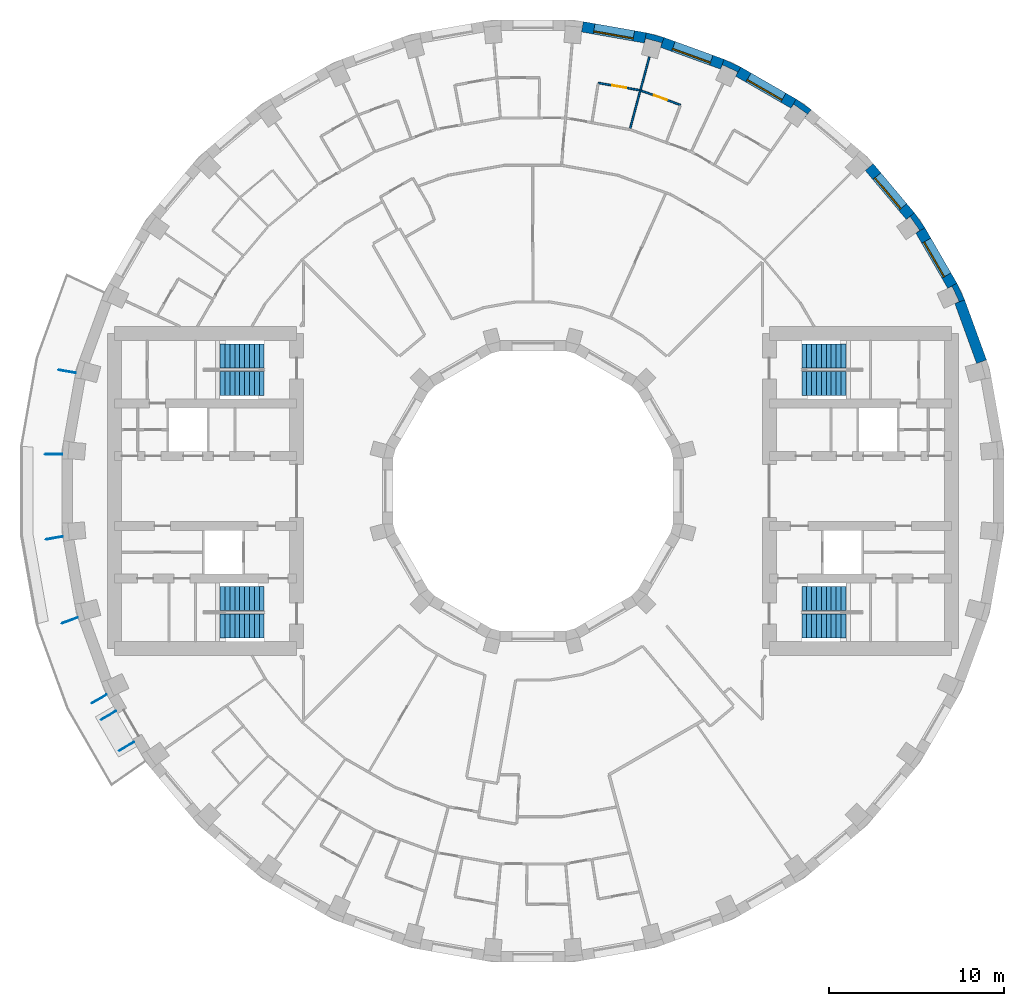
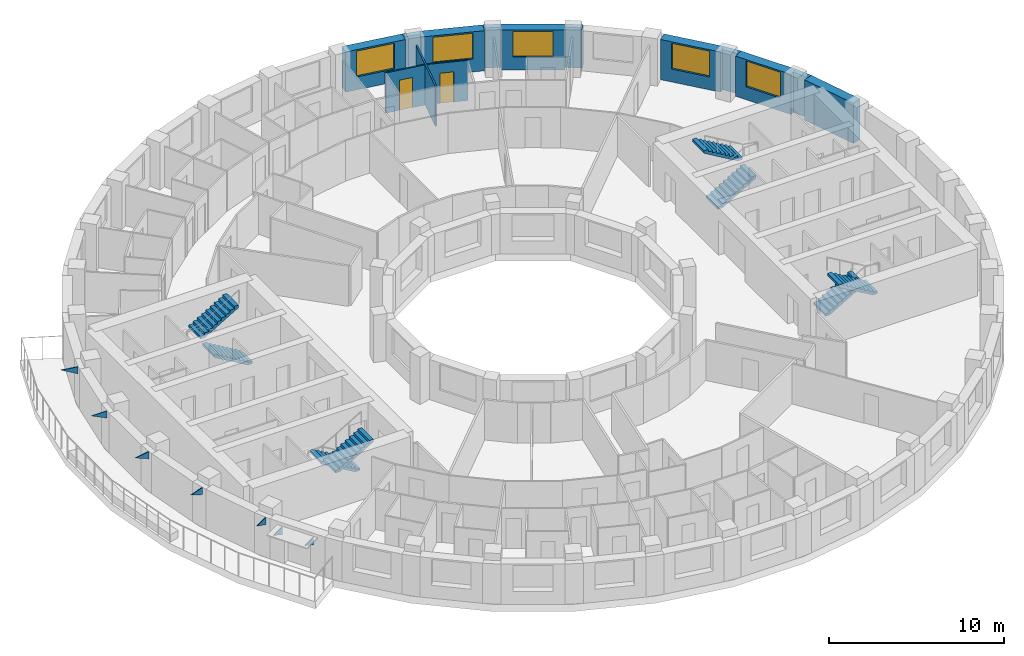
# One storey, part 11 of 12: 14 walls, 8 stair flights, 7 discrete accessories, 5 windows, 2 doors, 7 openings, 4 elements without a shape of their own.
"""IFC4 building model written with IfcOpenShell, lengths in metres."""

from ifc_helpers import new_model, si_unit, direction, frame, frame_2d, origin, place, context, subcontext, project, spatial, polyline, rectangle, outline, extrude, material, layer, layer_set, type_object, element, fill, aggregate, save


model = new_model("IFC4")

# Units and contexts
model_context = context("Model", 3, precision=1e-05, world=origin(), true_north=direction((0.0, 1.0)))
body_context = subcontext(model_context, "Body", "Model", "MODEL_VIEW")
ifc_project = project(units=[si_unit("LENGTHUNIT", "METRE"), si_unit("AREAUNIT", "SQUARE_METRE"), si_unit("VOLUMEUNIT", "CUBIC_METRE"), si_unit("PLANEANGLEUNIT", "RADIAN"), si_unit("MASSUNIT", "GRAM", prefix="KILO")], contexts=[model_context])

# Site, building, storey
site_placement = place(None, origin())
site = spatial("IfcSite", under=ifc_project, at=site_placement, CompositionType="ELEMENT")
building_placement = place(site_placement, origin())
building = spatial("IfcBuilding", under=site, at=building_placement, Name="Saqina Gate Tower", CompositionType="ELEMENT")
storey_placement = place(building_placement, frame((0.0, 0.0, 115.0)))
storey = spatial("IfcBuildingStorey", under=building, at=storey_placement, Name="L32", CompositionType="ELEMENT", Elevation=115.0)

# Walls
ifc_material_1 = material(Name="Brick masonry (buff)", Category="masonry")
wall_type_1 = type_object("IfcWallType", Name="BRICK PIER COPING BUFF", PredefinedType="SOLIDWALL", material=ifc_material_1)
wall_1_placement = place(storey_placement, origin())
element("IfcWall", 1, at=wall_1_placement, inside=storey, type_object=wall_type_1, Name="Pier cap L32 column 3", PredefinedType="SOLIDWALL", context=body_context, shape_type="SweptSolid", body=[
    extrude(outline(polyline([(24.6513671875, 10.913330078125), (24.205810546875, 11.869140625), (23.68603515625, 11.569091796875), (23.9296875, 11.6826171875), (24.331298828125, 10.82177734375), (24.08740234375, 10.7080078125), (24.6513671875, 10.913330078125)])), origin(), (0.0, 0.0, 1.0), 2.800048828125),
])
wall_2_placement = place(storey_placement, origin())
element("IfcWall", 2, at=wall_2_placement, inside=storey, type_object=wall_type_1, Name="Pier cap L32 column 4", PredefinedType="SOLIDWALL", context=body_context, shape_type="SweptSolid", body=[
    extrude(outline(polyline([(21.77685546875, 15.89208984375), (21.317138671875, 15.50634765625), (21.53759765625, 15.66064453125), (22.08251953125, 14.88232421875), (21.862060546875, 14.728271484375), (22.3818359375, 15.0283203125), (21.77685546875, 15.89208984375)])), origin(), (0.0, 0.0, 1.0), 2.800048828125),
])
wall_3_placement = place(storey_placement, origin())
element("IfcWall", 3, at=wall_3_placement, inside=storey, type_object=wall_type_1, Name="Pier cap L32 column 6", PredefinedType="SOLIDWALL", context=body_context, shape_type="SweptSolid", body=[
    extrude(outline(polyline([(15.0283203125, 22.3818359375), (14.728271484375, 21.862060546875), (14.88232421875, 22.08251953125), (15.66064453125, 21.53759765625), (15.50634765625, 21.317138671875), (15.89208984375, 21.77685546875), (15.0283203125, 22.3818359375)])), origin(), (0.0, 0.0, 1.0), 2.800048828125),
])
wall_4_placement = place(storey_placement, origin())
element("IfcWall", 4, at=wall_4_placement, inside=storey, type_object=wall_type_1, Name="Pier cap L32 column 7", PredefinedType="SOLIDWALL", context=body_context, shape_type="SweptSolid", body=[
    extrude(outline(polyline([(10.913330078125, 24.6513671875), (10.7080078125, 24.08740234375), (10.82177734375, 24.331298828125), (11.6826171875, 23.9296875), (11.569091796875, 23.68603515625), (11.869140625, 24.205810546875), (10.913330078125, 24.6513671875)])), origin(), (0.0, 0.0, 1.0), 2.800048828125),
])
wall_5_placement = place(storey_placement, origin())
element("IfcWall", 5, at=wall_5_placement, inside=storey, type_object=wall_type_1, Name="Pier cap L32 column 8", PredefinedType="SOLIDWALL", context=body_context, shape_type="SweptSolid", body=[
    extrude(outline(polyline([(7.485595703125, 25.89892578125), (6.466796875, 26.171875), (6.36279296875, 25.5810546875), (6.43212890625, 25.8408203125), (7.349853515625, 25.5947265625), (7.2802734375, 25.335205078125), (7.485595703125, 25.89892578125)])), origin(), (0.0, 0.0, 1.0), 2.800048828125),
])

# Wall, opening, window
ifc_material_2 = material(Name="Brick masonry (buff)", Category="masonry")
ifc_layer_1 = layer(ifc_material_2, 0.60009765625)
ifc_layer_set_1 = layer_set([ifc_layer_1], Name="FW-BRICK-BUFF")
wall_type_2 = type_object("IfcWallType", Name="FW-BRICK-BUFF", PredefinedType="SOLIDWALL", material=ifc_layer_set_1)
wall_6_placement = place(storey_placement, frame((23.94580078125, 11.718994140625, 0.0), z_axis=(0.0, 0.0, 1.0), x_axis=(-0.499954196102, 0.866051847062, 0.0)))
wall_6 = element("IfcWall", 6, at=wall_6_placement, inside=storey, type_object=wall_type_2, Name="Facade wall L32 facet 3", PredefinedType="SOLIDWALL", context=body_context, shape_type="SweptSolid", body=[
    extrude(rectangle(XDim=3.647705078125, YDim=0.60009765625, at=frame_2d((1.82373046875, 0.0))), origin(), (0.0, 0.0, 1.0), 2.800048828125),
])
opening_1_placement = place(wall_6_placement, frame((0.673828125, 0.0, 0.89990234375)))
opening_1 = element("IfcOpeningElement", 7, at=opening_1_placement, cuts=wall_6, Name="Opening G09-W01", PredefinedType="OPENING", context=body_context, shape_type="SweptSolid", body=[
    extrude(rectangle(XDim=2.300048828125, YDim=1.800048828125, at=frame_2d((1.14990234375, 0.89990234375))), frame((0.0, 0.31201171875, 0.0), z_axis=(0.0, -1.0, 0.0), x_axis=(1.0, 0.0, 0.0)), (0.0, 0.0, 1.0), 0.6240234375),
])
ifc_material_3 = material(Name="Aluminium glazing", Category="aluminium")
window_type = type_object("IfcWindowType", Name="WN-B", PartitioningType="SINGLE_PANEL", PredefinedType="WINDOW", material=ifc_material_3)
window_1_placement = place(opening_1_placement, origin())
window_1 = element("IfcWindow", 8, at=window_1_placement, inside=storey, type_object=window_type, Name="Window L32 facet 3", OverallHeight=1.800048828125, OverallWidth=2.300048828125, PartitioningType="SINGLE_PANEL", PredefinedType="WINDOW", context=body_context, shape_type="SweptSolid", body=[
    extrude(rectangle(XDim=2.300048828125, YDim=1.800048828125, at=frame_2d((1.14990234375, 0.89990234375))), frame((0.0, 0.179931640625, 0.0), z_axis=(0.0, -1.0, 0.0), x_axis=(1.0, 0.0, 0.0)), (0.0, 0.0, 1.0), 0.06005859375),
])
fill(opening_1, window_1)

wall_7_placement = place(storey_placement, frame((21.547119140625, 15.69921875, 0.0), z_axis=(0.0, 0.0, 1.0), x_axis=(-0.642774476932, 0.766055462616, 0.0)))
wall_7 = element("IfcWall", 9, at=wall_7_placement, inside=storey, type_object=wall_type_2, Name="Facade wall L32 facet 4", PredefinedType="SOLIDWALL", context=body_context, shape_type="SweptSolid", body=[
    extrude(rectangle(XDim=3.647705078125, YDim=0.60009765625, at=frame_2d((1.82373046875, 0.0))), origin(), (0.0, 0.0, 1.0), 2.800048828125),
])
opening_2_placement = place(wall_7_placement, frame((0.673828125, 0.0, 0.89990234375)))
opening_2 = element("IfcOpeningElement", 10, at=opening_2_placement, cuts=wall_7, Name="Opening G09-W02", PredefinedType="OPENING", context=body_context, shape_type="SweptSolid", body=[
    extrude(rectangle(XDim=2.300048828125, YDim=1.800048828125, at=frame_2d((1.14990234375, 0.89990234375))), frame((0.0, 0.31201171875, 0.0), z_axis=(0.0, -1.0, 0.0), x_axis=(1.0, 0.0, 0.0)), (0.0, 0.0, 1.0), 0.6240234375),
])
window_2_placement = place(opening_2_placement, origin())
window_2 = element("IfcWindow", 11, at=window_2_placement, inside=storey, type_object=window_type, Name="Window L32 facet 4", OverallHeight=1.800048828125, OverallWidth=2.300048828125, PartitioningType="SINGLE_PANEL", PredefinedType="WINDOW", context=body_context, shape_type="SweptSolid", body=[
    extrude(rectangle(XDim=2.300048828125, YDim=1.800048828125, at=frame_2d((1.14990234375, 0.89990234375))), frame((0.0, 0.179931640625, 0.0), z_axis=(0.0, -1.0, 0.0), x_axis=(1.0, 0.0, 0.0)), (0.0, 0.0, 1.0), 0.06005859375),
])
fill(opening_2, window_2)

wall_8_placement = place(storey_placement, frame((14.878173828125, 22.1220703125, 0.0), z_axis=(0.0, 0.0, 1.0), x_axis=(-0.866051847062, 0.499954196102, 0.0)))
wall_8 = element("IfcWall", 12, at=wall_8_placement, inside=storey, type_object=wall_type_2, Name="Facade wall L32 facet 6", PredefinedType="SOLIDWALL", context=body_context, shape_type="SweptSolid", body=[
    extrude(rectangle(XDim=3.647705078125, YDim=0.60009765625, at=frame_2d((1.82373046875, 0.0))), origin(), (0.0, 0.0, 1.0), 2.800048828125),
])
opening_3_placement = place(wall_8_placement, frame((0.673828125, 0.0, 0.89990234375)))
opening_3 = element("IfcOpeningElement", 13, at=opening_3_placement, cuts=wall_8, Name="Opening G09-W04", PredefinedType="OPENING", context=body_context, shape_type="SweptSolid", body=[
    extrude(rectangle(XDim=2.300048828125, YDim=1.800048828125, at=frame_2d((1.14990234375, 0.89990234375))), frame((0.0, 0.31201171875, 0.0), z_axis=(0.0, -1.0, 0.0), x_axis=(1.0, 0.0, 0.0)), (0.0, 0.0, 1.0), 0.6240234375),
])
window_3_placement = place(opening_3_placement, origin())
window_3 = element("IfcWindow", 14, at=window_3_placement, inside=storey, type_object=window_type, Name="Window L32 facet 6", OverallHeight=1.800048828125, OverallWidth=2.300048828125, PartitioningType="SINGLE_PANEL", PredefinedType="WINDOW", context=body_context, shape_type="SweptSolid", body=[
    extrude(rectangle(XDim=2.300048828125, YDim=1.800048828125, at=frame_2d((1.14990234375, 0.89990234375))), frame((0.0, 0.179931640625, 0.0), z_axis=(0.0, -1.0, 0.0), x_axis=(1.0, 0.0, 0.0)), (0.0, 0.0, 1.0), 0.06005859375),
])
fill(opening_3, window_3)

wall_9_placement = place(storey_placement, frame((10.810791015625, 24.369384765625, 0.0), z_axis=(0.0, 0.0, 1.0), x_axis=(-0.939703505393, 0.341990236633, 0.0)))
wall_9 = element("IfcWall", 15, at=wall_9_placement, inside=storey, type_object=wall_type_2, Name="Facade wall L32 facet 7", PredefinedType="SOLIDWALL", context=body_context, shape_type="SweptSolid", body=[
    extrude(rectangle(XDim=3.64794921875, YDim=0.60009765625, at=frame_2d((1.823974609375, 0.0))), origin(), (0.0, 0.0, 1.0), 2.800048828125),
])
opening_4_placement = place(wall_9_placement, frame((0.673828125, 0.0, 0.89990234375)))
opening_4 = element("IfcOpeningElement", 16, at=opening_4_placement, cuts=wall_9, Name="Opening G09-W05", PredefinedType="OPENING", context=body_context, shape_type="SweptSolid", body=[
    extrude(rectangle(XDim=2.300048828125, YDim=1.800048828125, at=frame_2d((1.14990234375, 0.89990234375))), frame((0.0, 0.31201171875, 0.0), z_axis=(0.0, -1.0, 0.0), x_axis=(1.0, 0.0, 0.0)), (0.0, 0.0, 1.0), 0.6240234375),
])
window_4_placement = place(opening_4_placement, origin())
window_4 = element("IfcWindow", 17, at=window_4_placement, inside=storey, type_object=window_type, Name="Window L32 facet 7", OverallHeight=1.800048828125, OverallWidth=2.300048828125, PartitioningType="SINGLE_PANEL", PredefinedType="WINDOW", context=body_context, shape_type="SweptSolid", body=[
    extrude(rectangle(XDim=2.300048828125, YDim=1.800048828125, at=frame_2d((1.14990234375, 0.89990234375))), frame((0.0, 0.179931640625, 0.0), z_axis=(0.0, -1.0, 0.0), x_axis=(1.0, 0.0, 0.0)), (0.0, 0.0, 1.0), 0.06005859375),
])
fill(opening_4, window_4)

wall_10_placement = place(storey_placement, frame((6.414794921875, 25.87646484375, 0.0), z_axis=(0.0, 0.0, 1.0), x_axis=(-0.984803764455, 0.173670796382, 0.0)))
wall_10 = element("IfcWall", 18, at=wall_10_placement, inside=storey, type_object=wall_type_2, Name="Facade wall L32 facet 8", PredefinedType="SOLIDWALL", context=body_context, shape_type="SweptSolid", body=[
    extrude(rectangle(XDim=3.64794921875, YDim=0.60009765625, at=frame_2d((1.823974609375, 0.0))), origin(), (0.0, 0.0, 1.0), 2.800048828125),
])
opening_5_placement = place(wall_10_placement, frame((0.673828125, 0.0, 0.89990234375)))
opening_5 = element("IfcOpeningElement", 19, at=opening_5_placement, cuts=wall_10, Name="Opening G09-W06", PredefinedType="OPENING", context=body_context, shape_type="SweptSolid", body=[
    extrude(rectangle(XDim=2.300048828125, YDim=1.800048828125, at=frame_2d((1.14990234375, 0.89990234375))), frame((0.0, 0.31201171875, 0.0), z_axis=(0.0, -1.0, 0.0), x_axis=(1.0, 0.0, 0.0)), (0.0, 0.0, 1.0), 0.6240234375),
])
window_5_placement = place(opening_5_placement, origin())
window_5 = element("IfcWindow", 20, at=window_5_placement, inside=storey, type_object=window_type, Name="Window L32 facet 8", OverallHeight=1.800048828125, OverallWidth=2.300048828125, PartitioningType="SINGLE_PANEL", PredefinedType="WINDOW", context=body_context, shape_type="SweptSolid", body=[
    extrude(rectangle(XDim=2.300048828125, YDim=1.800048828125, at=frame_2d((1.14990234375, 0.89990234375))), frame((0.0, 0.179931640625, 0.0), z_axis=(0.0, -1.0, 0.0), x_axis=(1.0, 0.0, 0.0)), (0.0, 0.0, 1.0), 0.06005859375),
])
fill(opening_5, window_5)

# Wall
ifc_material_4 = material(Name="Glazed ceramic tile (dark blue)", Category="ceramic")
ifc_layer_2 = layer(ifc_material_4, 0.60009765625)
ifc_layer_set_2 = layer_set([ifc_layer_2], Name="FW-TILE-CB")
wall_type_3 = type_object("IfcWallType", Name="FW-TILE-CB", PredefinedType="SOLIDWALL", material=ifc_layer_set_2)
wall_11_placement = place(storey_placement, frame((25.616943359375, 7.3828125, 0.0), z_axis=(0.0, 0.0, 1.0), x_axis=(-0.341990236633, 0.939703505393, 0.0)))
element("IfcWall", 21, at=wall_11_placement, inside=storey, type_object=wall_type_3, Name="Facade wall L32 facet 2", PredefinedType="SOLIDWALL", context=body_context, shape_type="SweptSolid", body=[
    extrude(rectangle(XDim=3.64794921875, YDim=0.60009765625, at=frame_2d((1.823974609375, 0.0))), origin(), (0.0, 0.0, 1.0), 2.800048828125),
])

# Wall, opening, door
ifc_material_5 = material(Name="Gypsum board on steel studs, 100 mm", Category="steel")
ifc_layer_3 = layer(ifc_material_5, 0.10009765625)
ifc_layer_set_3 = layer_set([ifc_layer_3], Name="PARTITION 100")
wall_type_4 = type_object("IfcWallType", Name="PARTITION 100", PredefinedType="PARTITIONING", material=ifc_layer_set_3)
wall_12_placement = place(storey_placement, frame((6.177978515625, 22.86279296875, 0.0), z_axis=(0.0, 0.0, 1.0), x_axis=(0.93973977618, -0.341890557146, 0.0)))
wall_12 = element("IfcWall", 22, at=wall_12_placement, inside=storey, type_object=wall_type_4, Name="PARTITION PW3-43", PredefinedType="PARTITIONING", context=body_context, shape_type="SweptSolid", body=[
    extrude(rectangle(XDim=2.39208984375, YDim=0.10009765625, at=frame_2d((1.196044921875, 0.0))), origin(), (0.0, 0.0, 1.0), 2.800048828125),
])
opening_6_placement = place(wall_12_placement, frame((0.77099609375, 0.0, 0.0)))
opening_6 = element("IfcOpeningElement", 23, at=opening_6_placement, cuts=wall_12, Name="Opening G09-D07", PredefinedType="OPENING", context=body_context, shape_type="SweptSolid", body=[
    extrude(rectangle(XDim=0.800048828125, YDim=2.10009765625, at=frame_2d((0.39990234375, 1.050048828125))), frame((0.0, 0.06201171875, 0.0), z_axis=(0.0, -1.0, 0.0), x_axis=(1.0, 0.0, 0.0)), (0.0, 0.0, 1.0), 0.1240234375),
])
ifc_material_6 = material(Name="Timber door leaf, 800 mm", Category="wood")
door_type = type_object("IfcDoorType", Name="DOOR 800 TIMBER", OperationType="SINGLE_SWING_LEFT", PredefinedType="DOOR", material=ifc_material_6)
door_1_placement = place(opening_6_placement, origin())
door_1 = element("IfcDoor", 24, at=door_1_placement, inside=storey, type_object=door_type, Name="DOOR G09-D07", OperationType="SINGLE_SWING_LEFT", OverallHeight=2.10009765625, OverallWidth=0.800048828125, PredefinedType="DOOR", context=body_context, shape_type="SweptSolid", body=[
    extrude(rectangle(XDim=0.800048828125, YDim=2.10009765625, at=frame_2d((0.39990234375, 1.050048828125))), frame((0.0, 0.02490234375, 0.0), z_axis=(0.0, -1.0, 0.0), x_axis=(1.0, 0.0, 0.0)), (0.0, 0.0, 1.0), 0.050048828125),
])
fill(opening_6, door_1)

wall_13_placement = place(storey_placement, frame((3.72509765625, 23.303955078125, 0.0), z_axis=(0.0, 0.0, 1.0), x_axis=(0.984826665662, -0.173540884522, 0.0)))
wall_13 = element("IfcWall", 25, at=wall_13_placement, inside=storey, type_object=wall_type_4, Name="PARTITION PW3-50", PredefinedType="PARTITIONING", context=body_context, shape_type="SweptSolid", body=[
    extrude(rectangle(XDim=2.39306640625, YDim=0.10009765625, at=frame_2d((1.196533203125, 0.0))), origin(), (0.0, 0.0, 1.0), 2.800048828125),
])
opening_7_placement = place(wall_13_placement, frame((0.821533203125, 0.0, 0.0)))
opening_7 = element("IfcOpeningElement", 26, at=opening_7_placement, cuts=wall_13, Name="Opening G09-D08", PredefinedType="OPENING", context=body_context, shape_type="SweptSolid", body=[
    extrude(rectangle(XDim=0.800048828125, YDim=2.10009765625, at=frame_2d((0.39990234375, 1.050048828125))), frame((0.0, 0.06201171875, 0.0), z_axis=(0.0, -1.0, 0.0), x_axis=(1.0, 0.0, 0.0)), (0.0, 0.0, 1.0), 0.1240234375),
])
door_2_placement = place(opening_7_placement, origin())
door_2 = element("IfcDoor", 27, at=door_2_placement, inside=storey, type_object=door_type, Name="DOOR G09-D08", OperationType="SINGLE_SWING_RIGHT", OverallHeight=2.10009765625, OverallWidth=0.800048828125, PredefinedType="DOOR", context=body_context, shape_type="SweptSolid", body=[
    extrude(rectangle(XDim=0.800048828125, YDim=2.10009765625, at=frame_2d((0.39990234375, 1.050048828125))), frame((0.0, 0.02490234375, 0.0), z_axis=(0.0, -1.0, 0.0), x_axis=(1.0, 0.0, 0.0)), (0.0, 0.0, 1.0), 0.050048828125),
])
fill(opening_7, door_2)

# Wall
wall_14_placement = place(storey_placement, frame((5.547119140625, 20.697998046875, 0.0), z_axis=(0.0, 0.0, 1.0), x_axis=(0.258516199654, 0.966006922603, 0.0)))
element("IfcWall", 28, at=wall_14_placement, inside=storey, type_object=wall_type_4, Name="PARTITION PW3-99", PredefinedType="PARTITIONING", context=body_context, shape_type="SweptSolid", body=[
    extrude(rectangle(XDim=4.236572265625, YDim=0.10009765625, at=frame_2d((2.1181640625, 0.0))), origin(), (0.0, 0.0, 1.0), 2.800048828125),
])

# Stair, stair flights
ifc_material_7 = material(Name="Concrete C40/50", Category="concrete")
stair_type = type_object("IfcStairType", Name="EXIT STAIR", PredefinedType="HALF_TURN_STAIR", material=ifc_material_7)
stair_1_placement = place(storey_placement, origin())
stair_1 = element("IfcStair", 29, at=stair_1_placement, inside=storey, type_object=stair_type, Name="EXIT STAIR 1", PredefinedType="HALF_TURN_STAIR")
ifc_material_8 = material(Name="Concrete C40/50", Category="concrete")
stair_flight_type = type_object("IfcStairFlightType", Name="EXIT STAIR FLIGHT", PredefinedType="STRAIGHT", material=ifc_material_8)
stair_flight_1_placement = place(storey_placement, frame((15.35009765625, 6.1416015625, 0.0), z_axis=(0.0, 0.0, 1.0), x_axis=(1.0, 0.0, 0.0)))
stair_flight_1 = element("IfcStairFlight", 30, at=stair_flight_1_placement, type_object=stair_flight_type, Name="EXIT STAIR 1 FLIGHT 1", NumberOfRisers=10, NumberOfTreads=9, PredefinedType="STRAIGHT", RiserHeight=0.165, TreadLength=0.28, context=body_context, shape_type="SweptSolid", body=[
    extrude(outline(polyline([(0.0, 0.0), (0.0, 0.1650390625), (0.280029296875, 0.1650390625), (0.280029296875, 0.330078125), (0.56005859375, 0.330078125), (0.56005859375, 0.4951171875), (0.840087890625, 0.4951171875), (0.840087890625, 0.659912109375), (1.1201171875, 0.659912109375), (1.1201171875, 0.824951171875), (1.39990234375, 0.824951171875), (1.39990234375, 0.989990234375), (1.679931640625, 0.989990234375), (1.679931640625, 1.155029296875), (1.9599609375, 1.155029296875), (1.9599609375, 1.320068359375), (2.239990234375, 1.320068359375), (2.239990234375, 1.485107421875), (2.52001953125, 1.485107421875), (2.52001953125, 1.64990234375), (2.52001953125, 1.31103515625), (0.295166015625, 0.0), (0.0, 0.0)])), frame((0.0, 0.675048828125, 0.0), z_axis=(0.0, -1.0, 0.0), x_axis=(1.0, 0.0, 0.0)), (0.0, 0.0, 1.0), 1.35009765625),
])
stair_flight_2_placement = place(storey_placement, frame((17.8701171875, 7.708251953125, 1.64990234375), z_axis=(0.0, 0.0, 1.0), x_axis=(-1.0, 0.0, 0.0)))
stair_flight_2 = element("IfcStairFlight", 31, at=stair_flight_2_placement, type_object=stair_flight_type, Name="EXIT STAIR 1 FLIGHT 2", NumberOfRisers=10, NumberOfTreads=9, PredefinedType="STRAIGHT", RiserHeight=0.165, TreadLength=0.28, context=body_context, shape_type="SweptSolid", body=[
    extrude(outline(polyline([(0.0, 0.0), (0.0, 0.1650390625), (0.280029296875, 0.1650390625), (0.280029296875, 0.330078125), (0.56005859375, 0.330078125), (0.56005859375, 0.4951171875), (0.840087890625, 0.4951171875), (0.840087890625, 0.659912109375), (1.1201171875, 0.659912109375), (1.1201171875, 0.824951171875), (1.39990234375, 0.824951171875), (1.39990234375, 0.989990234375), (1.679931640625, 0.989990234375), (1.679931640625, 1.155029296875), (1.9599609375, 1.155029296875), (1.9599609375, 1.320068359375), (2.239990234375, 1.320068359375), (2.239990234375, 1.485107421875), (2.52001953125, 1.485107421875), (2.52001953125, 1.64990234375), (2.52001953125, 1.31103515625), (0.295166015625, 0.0), (0.0, 0.0)])), frame((0.0, 0.675048828125, 0.0), z_axis=(0.0, -1.0, 0.0), x_axis=(1.0, 0.0, 0.0)), (0.0, 0.0, 1.0), 1.35009765625),
])
aggregate(stair_1, [stair_flight_1, stair_flight_2])

stair_2_placement = place(storey_placement, origin())
stair_2 = element("IfcStair", 32, at=stair_2_placement, inside=storey, type_object=stair_type, Name="EXIT STAIR 2", PredefinedType="HALF_TURN_STAIR")
stair_flight_3_placement = place(storey_placement, frame((15.35009765625, -6.1416015625, 0.0), z_axis=(0.0, 0.0, 1.0), x_axis=(1.0, 0.0, 0.0)))
stair_flight_3 = element("IfcStairFlight", 33, at=stair_flight_3_placement, type_object=stair_flight_type, Name="EXIT STAIR 2 FLIGHT 1", NumberOfRisers=10, NumberOfTreads=9, PredefinedType="STRAIGHT", RiserHeight=0.165, TreadLength=0.28, context=body_context, shape_type="SweptSolid", body=[
    extrude(outline(polyline([(0.0, 0.0), (0.0, 0.1650390625), (0.280029296875, 0.1650390625), (0.280029296875, 0.330078125), (0.56005859375, 0.330078125), (0.56005859375, 0.4951171875), (0.840087890625, 0.4951171875), (0.840087890625, 0.659912109375), (1.1201171875, 0.659912109375), (1.1201171875, 0.824951171875), (1.39990234375, 0.824951171875), (1.39990234375, 0.989990234375), (1.679931640625, 0.989990234375), (1.679931640625, 1.155029296875), (1.9599609375, 1.155029296875), (1.9599609375, 1.320068359375), (2.239990234375, 1.320068359375), (2.239990234375, 1.485107421875), (2.52001953125, 1.485107421875), (2.52001953125, 1.64990234375), (2.52001953125, 1.31103515625), (0.295166015625, 0.0), (0.0, 0.0)])), frame((0.0, 0.675048828125, 0.0), z_axis=(0.0, -1.0, 0.0), x_axis=(1.0, 0.0, 0.0)), (0.0, 0.0, 1.0), 1.35009765625),
])
stair_flight_4_placement = place(storey_placement, frame((17.8701171875, -7.708251953125, 1.64990234375), z_axis=(0.0, 0.0, 1.0), x_axis=(-1.0, 0.0, 0.0)))
stair_flight_4 = element("IfcStairFlight", 34, at=stair_flight_4_placement, type_object=stair_flight_type, Name="EXIT STAIR 2 FLIGHT 2", NumberOfRisers=10, NumberOfTreads=9, PredefinedType="STRAIGHT", RiserHeight=0.165, TreadLength=0.28, context=body_context, shape_type="SweptSolid", body=[
    extrude(outline(polyline([(0.0, 0.0), (0.0, 0.1650390625), (0.280029296875, 0.1650390625), (0.280029296875, 0.330078125), (0.56005859375, 0.330078125), (0.56005859375, 0.4951171875), (0.840087890625, 0.4951171875), (0.840087890625, 0.659912109375), (1.1201171875, 0.659912109375), (1.1201171875, 0.824951171875), (1.39990234375, 0.824951171875), (1.39990234375, 0.989990234375), (1.679931640625, 0.989990234375), (1.679931640625, 1.155029296875), (1.9599609375, 1.155029296875), (1.9599609375, 1.320068359375), (2.239990234375, 1.320068359375), (2.239990234375, 1.485107421875), (2.52001953125, 1.485107421875), (2.52001953125, 1.64990234375), (2.52001953125, 1.31103515625), (0.295166015625, 0.0), (0.0, 0.0)])), frame((0.0, 0.675048828125, 0.0), z_axis=(0.0, -1.0, 0.0), x_axis=(1.0, 0.0, 0.0)), (0.0, 0.0, 1.0), 1.35009765625),
])
aggregate(stair_2, [stair_flight_3, stair_flight_4])

stair_3_placement = place(storey_placement, origin())
stair_3 = element("IfcStair", 35, at=stair_3_placement, inside=storey, type_object=stair_type, Name="EXIT STAIR 3", PredefinedType="HALF_TURN_STAIR")
stair_flight_5_placement = place(storey_placement, frame((-15.35009765625, 6.1416015625, 0.0), z_axis=(0.0, 0.0, 1.0), x_axis=(-1.0, 0.0, 0.0)))
stair_flight_5 = element("IfcStairFlight", 36, at=stair_flight_5_placement, type_object=stair_flight_type, Name="EXIT STAIR 3 FLIGHT 1", NumberOfRisers=10, NumberOfTreads=9, PredefinedType="STRAIGHT", RiserHeight=0.165, TreadLength=0.28, context=body_context, shape_type="SweptSolid", body=[
    extrude(outline(polyline([(0.0, 0.0), (0.0, 0.1650390625), (0.280029296875, 0.1650390625), (0.280029296875, 0.330078125), (0.56005859375, 0.330078125), (0.56005859375, 0.4951171875), (0.840087890625, 0.4951171875), (0.840087890625, 0.659912109375), (1.1201171875, 0.659912109375), (1.1201171875, 0.824951171875), (1.39990234375, 0.824951171875), (1.39990234375, 0.989990234375), (1.679931640625, 0.989990234375), (1.679931640625, 1.155029296875), (1.9599609375, 1.155029296875), (1.9599609375, 1.320068359375), (2.239990234375, 1.320068359375), (2.239990234375, 1.485107421875), (2.52001953125, 1.485107421875), (2.52001953125, 1.64990234375), (2.52001953125, 1.31103515625), (0.295166015625, 0.0), (0.0, 0.0)])), frame((0.0, 0.675048828125, 0.0), z_axis=(0.0, -1.0, 0.0), x_axis=(1.0, 0.0, 0.0)), (0.0, 0.0, 1.0), 1.35009765625),
])
stair_flight_6_placement = place(storey_placement, frame((-17.8701171875, 7.708251953125, 1.64990234375), z_axis=(0.0, 0.0, 1.0), x_axis=(1.0, 0.0, 0.0)))
stair_flight_6 = element("IfcStairFlight", 37, at=stair_flight_6_placement, type_object=stair_flight_type, Name="EXIT STAIR 3 FLIGHT 2", NumberOfRisers=10, NumberOfTreads=9, PredefinedType="STRAIGHT", RiserHeight=0.165, TreadLength=0.28, context=body_context, shape_type="SweptSolid", body=[
    extrude(outline(polyline([(0.0, 0.0), (0.0, 0.1650390625), (0.280029296875, 0.1650390625), (0.280029296875, 0.330078125), (0.56005859375, 0.330078125), (0.56005859375, 0.4951171875), (0.840087890625, 0.4951171875), (0.840087890625, 0.659912109375), (1.1201171875, 0.659912109375), (1.1201171875, 0.824951171875), (1.39990234375, 0.824951171875), (1.39990234375, 0.989990234375), (1.679931640625, 0.989990234375), (1.679931640625, 1.155029296875), (1.9599609375, 1.155029296875), (1.9599609375, 1.320068359375), (2.239990234375, 1.320068359375), (2.239990234375, 1.485107421875), (2.52001953125, 1.485107421875), (2.52001953125, 1.64990234375), (2.52001953125, 1.31103515625), (0.295166015625, 0.0), (0.0, 0.0)])), frame((0.0, 0.675048828125, 0.0), z_axis=(0.0, -1.0, 0.0), x_axis=(1.0, 0.0, 0.0)), (0.0, 0.0, 1.0), 1.35009765625),
])
aggregate(stair_3, [stair_flight_5, stair_flight_6])

stair_4_placement = place(storey_placement, origin())
stair_4 = element("IfcStair", 38, at=stair_4_placement, inside=storey, type_object=stair_type, Name="EXIT STAIR 4", PredefinedType="HALF_TURN_STAIR")
stair_flight_7_placement = place(storey_placement, frame((-15.35009765625, -6.1416015625, 0.0), z_axis=(0.0, 0.0, 1.0), x_axis=(-1.0, 0.0, 0.0)))
stair_flight_7 = element("IfcStairFlight", 39, at=stair_flight_7_placement, type_object=stair_flight_type, Name="EXIT STAIR 4 FLIGHT 1", NumberOfRisers=10, NumberOfTreads=9, PredefinedType="STRAIGHT", RiserHeight=0.165, TreadLength=0.28, context=body_context, shape_type="SweptSolid", body=[
    extrude(outline(polyline([(0.0, 0.0), (0.0, 0.1650390625), (0.280029296875, 0.1650390625), (0.280029296875, 0.330078125), (0.56005859375, 0.330078125), (0.56005859375, 0.4951171875), (0.840087890625, 0.4951171875), (0.840087890625, 0.659912109375), (1.1201171875, 0.659912109375), (1.1201171875, 0.824951171875), (1.39990234375, 0.824951171875), (1.39990234375, 0.989990234375), (1.679931640625, 0.989990234375), (1.679931640625, 1.155029296875), (1.9599609375, 1.155029296875), (1.9599609375, 1.320068359375), (2.239990234375, 1.320068359375), (2.239990234375, 1.485107421875), (2.52001953125, 1.485107421875), (2.52001953125, 1.64990234375), (2.52001953125, 1.31103515625), (0.295166015625, 0.0), (0.0, 0.0)])), frame((0.0, 0.675048828125, 0.0), z_axis=(0.0, -1.0, 0.0), x_axis=(1.0, 0.0, 0.0)), (0.0, 0.0, 1.0), 1.35009765625),
])
stair_flight_8_placement = place(storey_placement, frame((-17.8701171875, -7.708251953125, 1.64990234375), z_axis=(0.0, 0.0, 1.0), x_axis=(1.0, 0.0, 0.0)))
stair_flight_8 = element("IfcStairFlight", 40, at=stair_flight_8_placement, type_object=stair_flight_type, Name="EXIT STAIR 4 FLIGHT 2", NumberOfRisers=10, NumberOfTreads=9, PredefinedType="STRAIGHT", RiserHeight=0.165, TreadLength=0.28, context=body_context, shape_type="SweptSolid", body=[
    extrude(outline(polyline([(0.0, 0.0), (0.0, 0.1650390625), (0.280029296875, 0.1650390625), (0.280029296875, 0.330078125), (0.56005859375, 0.330078125), (0.56005859375, 0.4951171875), (0.840087890625, 0.4951171875), (0.840087890625, 0.659912109375), (1.1201171875, 0.659912109375), (1.1201171875, 0.824951171875), (1.39990234375, 0.824951171875), (1.39990234375, 0.989990234375), (1.679931640625, 0.989990234375), (1.679931640625, 1.155029296875), (1.9599609375, 1.155029296875), (1.9599609375, 1.320068359375), (2.239990234375, 1.320068359375), (2.239990234375, 1.485107421875), (2.52001953125, 1.485107421875), (2.52001953125, 1.64990234375), (2.52001953125, 1.31103515625), (0.295166015625, 0.0), (0.0, 0.0)])), frame((0.0, 0.675048828125, 0.0), z_axis=(0.0, -1.0, 0.0), x_axis=(1.0, 0.0, 0.0)), (0.0, 0.0, 1.0), 1.35009765625),
])
aggregate(stair_4, [stair_flight_7, stair_flight_8])

# Discrete accessories
ifc_material_9 = material(Name="Galvanised steel", Category="steel")
ifc_layer_4 = layer(ifc_material_9, 0.050048828125)
ifc_layer_set_4 = layer_set([ifc_layer_4], Name="BR-AWNING")
discrete_accessory_type_1 = type_object("IfcDiscreteAccessoryType", Name="BR-AWNING", PredefinedType="BRACKET", material=ifc_layer_set_4)
for number, where, z_axis, x_axis, name in (
    (41, (-23.793212890625, -12.58349609375, 1.97509765625), (0.50002537861, -0.866010750942, 0.0), (0.0, 0.0, 1.0), "Awning bracket L32 facet 21"),
    (42, (-22.769287109375, -14.35693359375, 1.97509765625), (0.50002537861, -0.866010750942, 0.0), (0.0, 0.0, 1.0), "Awning bracket L32 facet 21"),
):
    element("IfcDiscreteAccessory", number, at=place(storey_placement, frame(where, z_axis=z_axis, x_axis=x_axis)), inside=storey, type_object=discrete_accessory_type_1, Name=name, PredefinedType="BRACKET", context=body_context, shape_type="SweptSolid", body=[
        extrude(outline(polyline([(0.0, 0.0), (0.5498046875, 0.0), (0.5498046875, 0.9999492453569568), (0.0, 0.0)])), origin(), (0.0, 0.0, -1.0), 0.050048828125),
    ])
ifc_material_10 = material(Name="Galvanised steel", Category="steel")
ifc_layer_5 = layer(ifc_material_10, 0.050048828125)
ifc_layer_set_5 = layer_set([ifc_layer_5], Name="BR-GUSSET")
discrete_accessory_type_2 = type_object("IfcDiscreteAccessoryType", Name="BR-GUSSET", PredefinedType="BRACKET", material=ifc_layer_set_5)
discrete_accessory_1_placement = place(storey_placement, frame((-26.127685546875, 6.71728515625, 2.300048828125), z_axis=(-0.173576426815, -0.984820401928, 0.0), x_axis=(0.0, 0.0, 1.0)))
element("IfcDiscreteAccessory", 43, at=discrete_accessory_1_placement, inside=storey, type_object=discrete_accessory_type_2, Name="Terrace slab bracket L33 1", PredefinedType="BRACKET", context=body_context, shape_type="SweptSolid", body=[
    extrude(outline(polyline([(0.0, 0.0), (0.5, 0.0), (0.5, 1.000043540245132), (0.0, 0.0)])), origin(), (0.0, 0.0, -1.0), 0.050048828125),
])
discrete_accessory_2_placement = place(storey_placement, frame((-26.897216796875, 2.078125, 2.300048828125), z_axis=(0.0, -1.0, 0.0), x_axis=(0.0, 0.0, 1.0)))
element("IfcDiscreteAccessory", 44, at=discrete_accessory_2_placement, inside=storey, type_object=discrete_accessory_type_2, Name="Terrace slab bracket L33 2", PredefinedType="BRACKET", context=body_context, shape_type="SweptSolid", body=[
    extrude(outline(polyline([(0.0, 0.0), (0.5, 0.0), (0.5, 1.0), (0.0, 0.0)])), origin(), (0.0, 0.0, -1.0), 0.050048828125),
])
discrete_accessory_3_placement = place(storey_placement, frame((-26.849609375, -2.6240234375, 2.300048828125), z_axis=(0.173618168668, -0.984813043937, 0.0), x_axis=(0.0, 0.0, 1.0)))
element("IfcDiscreteAccessory", 45, at=discrete_accessory_3_placement, inside=storey, type_object=discrete_accessory_type_2, Name="Terrace slab bracket L33 3", PredefinedType="BRACKET", context=body_context, shape_type="SweptSolid", body=[
    extrude(outline(polyline([(0.0, 0.0), (0.5, 0.0), (0.5, 0.9998031064747768), (0.0, 0.0)])), origin(), (0.0, 0.0, -1.0), 0.050048828125),
])
discrete_accessory_4_placement = place(storey_placement, frame((-25.98583984375, -7.24658203125, 2.300048828125), z_axis=(0.341821477669, -0.939764905391, 0.0), x_axis=(0.0, 0.0, 1.0)))
element("IfcDiscreteAccessory", 46, at=discrete_accessory_4_placement, inside=storey, type_object=discrete_accessory_type_2, Name="Terrace slab bracket L33 4", PredefinedType="BRACKET", context=body_context, shape_type="SweptSolid", body=[
    extrude(outline(polyline([(0.0, 0.0), (0.5, 0.0), (0.5, 0.999928024801219), (0.0, 0.0)])), origin(), (0.0, 0.0, -1.0), 0.050048828125),
])
discrete_accessory_5_placement = place(storey_placement, frame((-24.332763671875, -11.648681640625, 2.300048828125), z_axis=(0.50002537861, -0.866010750942, 0.0), x_axis=(0.0, 0.0, 1.0)))
element("IfcDiscreteAccessory", 47, at=discrete_accessory_5_placement, inside=storey, type_object=discrete_accessory_type_2, Name="Terrace slab bracket L33 5", PredefinedType="BRACKET", context=body_context, shape_type="SweptSolid", body=[
    extrude(outline(polyline([(0.0, 0.0), (0.5, 0.0), (0.5, 0.9999492453569568), (0.0, 0.0)])), origin(), (0.0, 0.0, -1.0), 0.050048828125),
])

save(model, "model.ifc")
